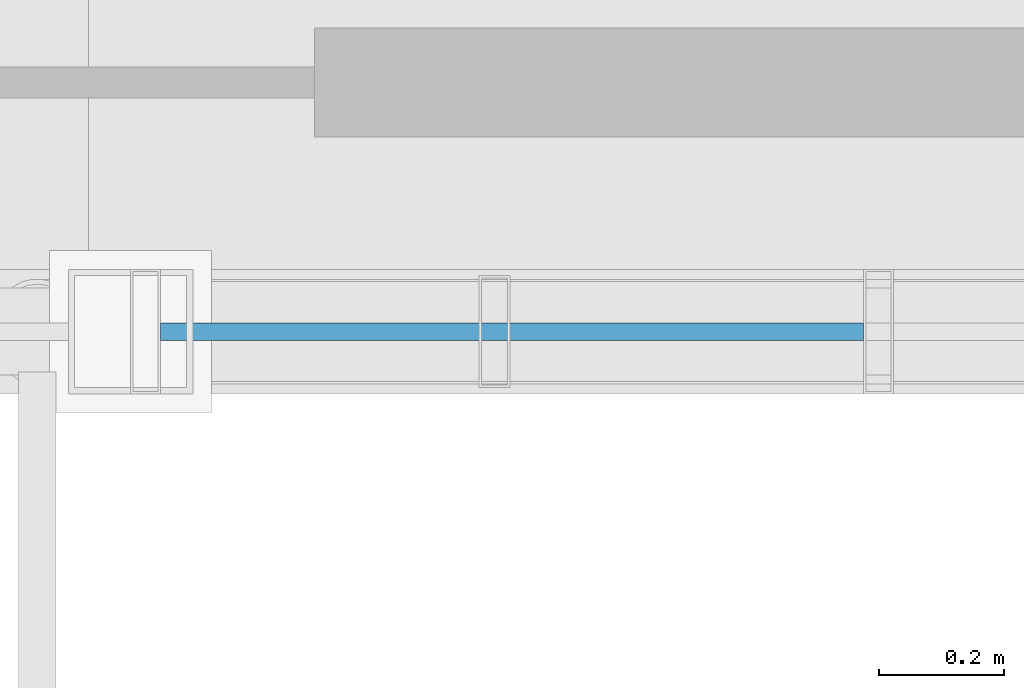
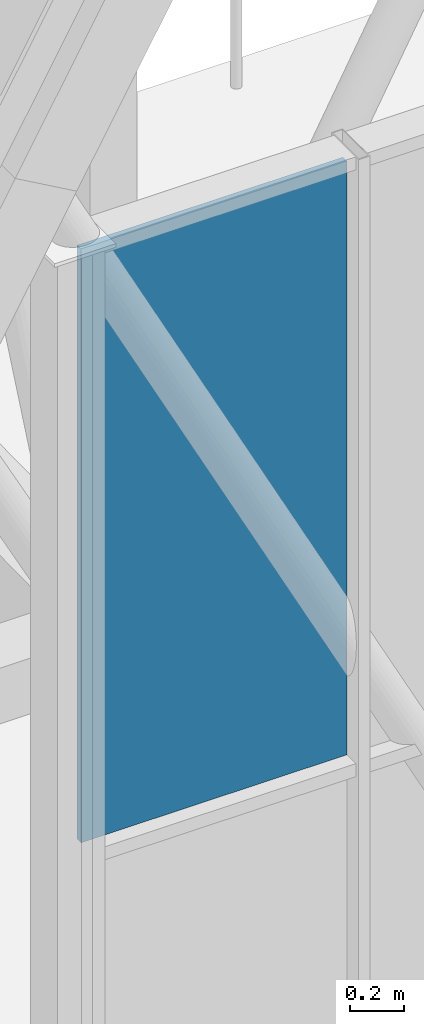
# One storey, part 276 of 324: 1 plate, 1 element without a shape of its own.
"""IFC4 building model written with IfcOpenShell, lengths in metres."""

from ifc_helpers import new_model, si_unit, direction, frame, origin, origin_2d, place, context, subcontext, project, spatial, rectangle, extrude, material, layer, layer_set, type_object, element, aggregate, save


model = new_model("IFC4")

# Units and contexts
model_context = context("Model", 3, precision=1e-05, world=origin(), true_north=direction((0.0, 1.0)))
body_context = subcontext(model_context, "Body", "Model", "MODEL_VIEW")
ifc_project = project(units=[si_unit("LENGTHUNIT", "METRE"), si_unit("AREAUNIT", "SQUARE_METRE"), si_unit("VOLUMEUNIT", "CUBIC_METRE"), si_unit("PLANEANGLEUNIT", "RADIAN"), si_unit("MASSUNIT", "GRAM", prefix="KILO")], contexts=[model_context])

# Site, building, storey
site_placement = place(None, origin())
site = spatial("IfcSite", under=ifc_project, at=site_placement, CompositionType="ELEMENT")
building_placement = place(site_placement, origin())
building = spatial("IfcBuilding", under=site, at=building_placement, Name="Solvenia Promenade Tram Depot", CompositionType="ELEMENT")
storey_placement = place(building_placement, frame((0.0, 0.0, 4.5)))
storey = spatial("IfcBuildingStorey", under=building, at=storey_placement, Name="L01", CompositionType="ELEMENT", Elevation=4.5)

# Curtain wall, plate
ifc_material_1 = material(Name="Anodized aluminium AW-6063 T6", Category="aluminium")
ifc_layer_1 = layer(ifc_material_1, 0.14990234375, Name="Anodized aluminium AW-6063 T6", Category="aluminium")
ifc_layer_set_1 = layer_set([ifc_layer_1], Name="Anodized aluminium AW-6063 T6")
curtain_wall_type = type_object("IfcCurtainWallType", Name="CW-Gable-1200", PredefinedType="NOTDEFINED", material=ifc_layer_set_1)
curtain_wall_placement = place(storey_placement, origin())
curtain_wall = element("IfcCurtainWall", 1, at=curtain_wall_placement, inside=storey, type_object=curtain_wall_type, Name="South Zigzag Gable 06 Peak Glazing", PredefinedType="NOTDEFINED")
ifc_material_2 = material(Name="Low-iron translucent U-profile channel glass", Category="glass")
ifc_layer_2 = layer(ifc_material_2, 0.028076171875, Name="Low-iron translucent U-profile channel glass", Category="glass")
ifc_layer_set_2 = layer_set([ifc_layer_2], Name="Low-iron translucent U-profile channel glass")
plate_type = type_object("IfcPlateType", Name="CWP-Panel-1", PredefinedType="CURTAIN_PANEL", material=ifc_layer_set_2)
plate_placement = place(storey_placement, frame((79.511962890625, 66.0, 6.428955078125), z_axis=(0.0, 0.0, 1.0), x_axis=(1.0, 0.0, 0.0)))
plate = element("IfcPlate", 2, at=plate_placement, type_object=plate_type, Name="CW-3 panel 1.2", PredefinedType="CURTAIN_PANEL", context=body_context, shape_type="SweptSolid", body=[
    extrude(rectangle(XDim=1.1279296875, YDim=0.028076171875, at=origin_2d()), origin(), (0.0, 0.0, 1.0), 2.6630859375),
])
aggregate(curtain_wall, [plate])

save(model, "model.ifc")
